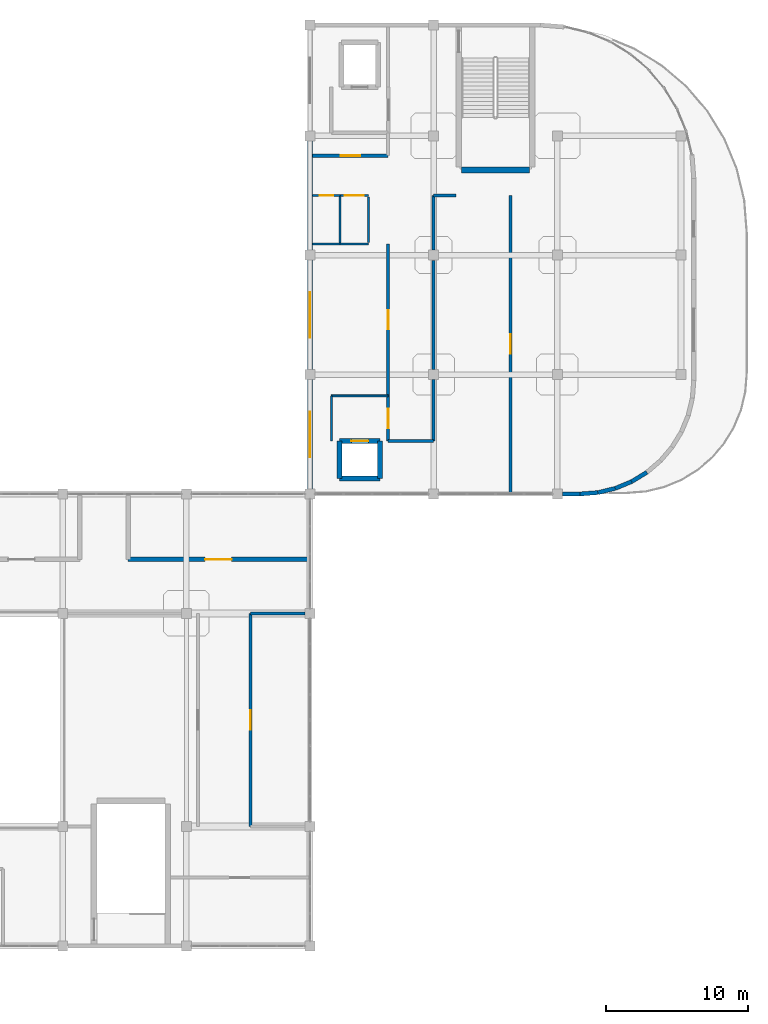
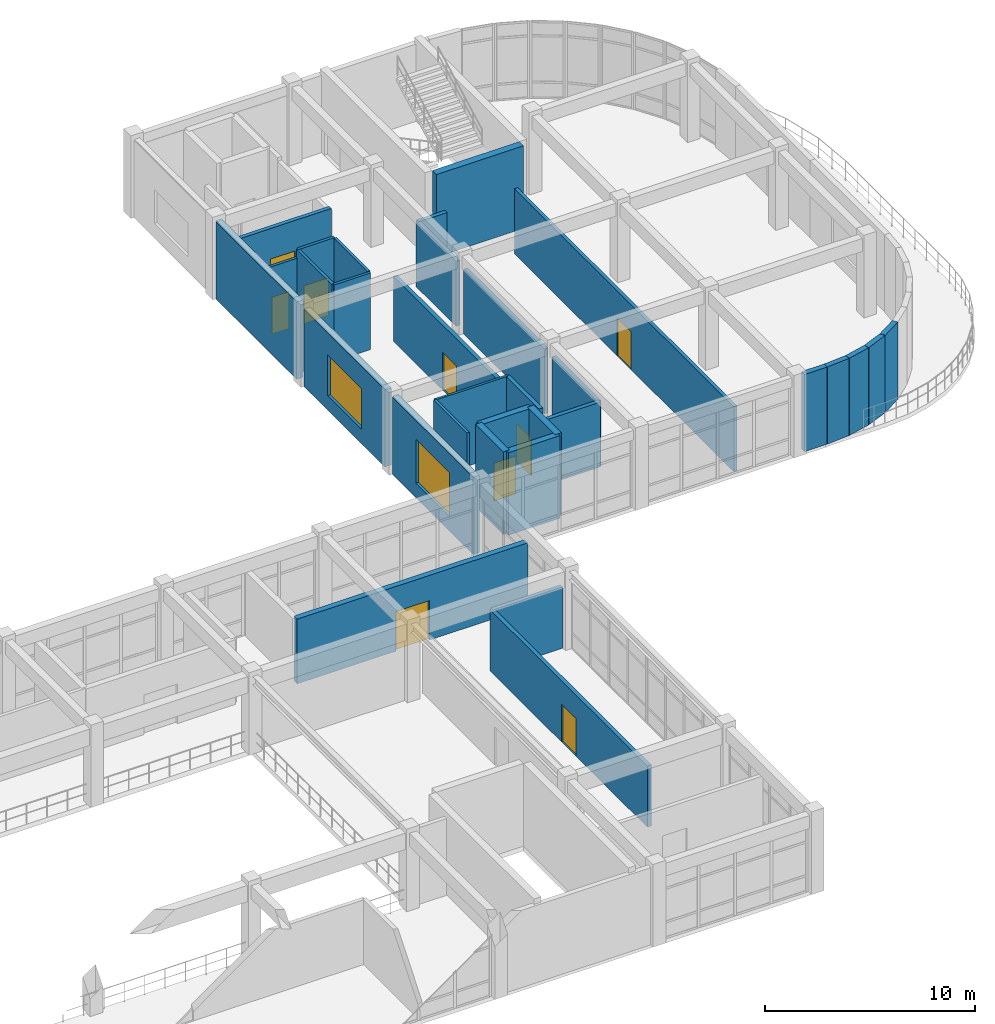
# One storey, part 57 of 64: 33 walls, 9 doors, 2 windows, 11 openings.
"""IFC4 building model written with IfcOpenShell, lengths in metres."""

from ifc_helpers import new_model, si_unit, derived_unit, direction, frame, frame_2d, origin, place, context, subcontext, project, spatial, rectangle, extrude, material, layer, layer_set, type_object, element, fill, save


model = new_model("IFC4")

# Units and contexts
model_context = context("Model", 3, precision=1e-05, world=origin(), true_north=direction((0.0, 1.0)))
body_context = subcontext(model_context, "Body", "Model", "MODEL_VIEW")
ifc_project = project(units=[si_unit("LENGTHUNIT", "METRE"), si_unit("AREAUNIT", "SQUARE_METRE"), si_unit("VOLUMEUNIT", "CUBIC_METRE"), si_unit("PLANEANGLEUNIT", "RADIAN"), si_unit("MASSUNIT", "GRAM", prefix="KILO"), derived_unit("THERMALTRANSMITTANCEUNIT", [(si_unit("MASSUNIT", "GRAM", prefix="KILO"), 1), (si_unit("TIMEUNIT", "SECOND"), -3), (si_unit("THERMODYNAMICTEMPERATUREUNIT", "KELVIN"), -1)])], contexts=[model_context])

# Site, building, storey
site_placement = place(None, origin())
site = spatial("IfcSite", under=ifc_project, at=site_placement, CompositionType="ELEMENT")
building_placement = place(site_placement, origin())
building = spatial("IfcBuilding", under=site, at=building_placement, Name="Qinzheling Arcade Emporium", CompositionType="ELEMENT")
storey_placement = place(building_placement, frame((0.0, 0.0, 31.5)))
storey = spatial("IfcBuildingStorey", under=building, at=storey_placement, Name="L07", CompositionType="ELEMENT", Elevation=31.5)

# Wall, opening, door
ifc_material_1 = material(Name="Double-stud acoustic gypsum board partition")
ifc_layer_1 = layer(ifc_material_1, 0.215087890625, Name="Double-stud acoustic gypsum board partition")
ifc_layer_set_1 = layer_set([ifc_layer_1], Name="Double-stud acoustic gypsum board partition")
wall_type_1 = type_object("IfcWallType", Name="Acoustic Corridor Partition Wall 215", PredefinedType="PARTITIONING", material=ifc_layer_set_1)
wall_1_placement = place(storey_placement, frame((109.89990234375, 80.699951171875, 0.0), z_axis=(0.0, 0.0, 1.0), x_axis=(0.0, -1.0, 0.0)))
wall_1 = element("IfcWall", 1, at=wall_1_placement, inside=storey, type_object=wall_type_1, Name="Interior Wall WL-L07-INT-0891", PredefinedType="PARTITIONING", context=body_context, shape_type="SweptSolid", body=[
    extrude(rectangle(XDim=3.169921875, YDim=0.215087890625, at=frame_2d((1.5849609375, 0.0))), origin(), (0.0, 0.0, 1.0), 4.4599609375),
])
opening_1_placement = place(wall_1_placement, frame((0.909912109375, 0.0, 0.0)))
opening_1 = element("IfcOpeningElement", 2, at=opening_1_placement, cuts=wall_1, Name="Opening FD05", PredefinedType="OPENING", context=body_context, shape_type="SweptSolid", body=[
    extrude(rectangle(XDim=1.35009765625, YDim=2.199951171875, at=frame_2d((0.675048828125, 1.10009765625))), frame((0.0, 0.11767578125, 0.0), z_axis=(0.0, -1.0, 0.0), x_axis=(1.0, 0.0, 0.0)), (0.0, 0.0, 1.0), 0.235107421875),
])
ifc_material_2 = material(Name="Class B fire-rated stainless-clad door")
door_type_1 = type_object("IfcDoorType", Name="Kitchen Fire-Rated Service Door 1350x2200", OperationType="NOTDEFINED", PredefinedType="DOOR", material=ifc_material_2)
door_1_placement = place(opening_1_placement, origin())
door_1 = element("IfcDoor", 3, at=door_1_placement, inside=storey, type_object=door_type_1, Name="FD05 Interior Door DR-L07-INT-0260", OperationType="SINGLE_SWING_LEFT", OverallHeight=2.199951171875, OverallWidth=1.35009765625, PredefinedType="DOOR", context=body_context, shape_type="SweptSolid", body=[
    extrude(rectangle(XDim=1.35009765625, YDim=2.199951171875, at=frame_2d((0.675048828125, 1.10009765625))), frame((0.0, 0.02490234375, 0.0), z_axis=(0.0, -1.0, 0.0), x_axis=(1.0, 0.0, 0.0)), (0.0, 0.0, 1.0), 0.050048828125),
])
fill(opening_1, door_1)

# Walls
wall_2_placement = place(storey_placement, frame((114.655029296875, 94.800048828125, 0.0), z_axis=(0.0, 0.0, 1.0), x_axis=(-1.0, 0.0, 0.0)))
element("IfcWall", 4, at=wall_2_placement, inside=storey, type_object=wall_type_1, Name="Interior Wall WL-L07-INT-0909", PredefinedType="PARTITIONING", context=body_context, shape_type="SweptSolid", body=[
    extrude(rectangle(XDim=1.554931640625, YDim=0.215087890625, at=frame_2d((0.77734375, 0.0))), origin(), (0.0, 0.0, 1.0), 3.77490234375),
])
wall_3_placement = place(storey_placement, frame((113.10009765625, 94.800048828125, 0.0), z_axis=(0.0, 0.0, 1.0), x_axis=(0.0, -1.0, 0.0)))
element("IfcWall", 5, at=wall_3_placement, inside=storey, type_object=wall_type_1, Name="Interior Wall WL-L07-INT-0910", PredefinedType="PARTITIONING", context=body_context, shape_type="SweptSolid", body=[
    extrude(rectangle(XDim=3.840087890625, YDim=0.215087890625, at=frame_2d((1.919921875, 0.0))), origin(), (0.0, 0.0, 1.0), 3.77490234375),
])
wall_4_placement = place(storey_placement, frame((113.10009765625, 90.239990234375, 0.0), z_axis=(0.0, 0.0, 1.0), x_axis=(0.0, -1.0, 0.0)))
element("IfcWall", 6, at=wall_4_placement, inside=storey, type_object=wall_type_1, Name="Interior Wall WL-L07-INT-0911", PredefinedType="PARTITIONING", context=body_context, shape_type="SweptSolid", body=[
    extrude(rectangle(XDim=7.679931640625, YDim=0.215087890625, at=frame_2d((3.83984375, 0.0))), origin(), (0.0, 0.0, 1.0), 3.77490234375),
])
wall_5_placement = place(storey_placement, frame((113.10009765625, 81.840087890625, 0.0), z_axis=(0.0, 0.0, 1.0), x_axis=(0.0, -1.0, 0.0)))
element("IfcWall", 7, at=wall_5_placement, inside=storey, type_object=wall_type_1, Name="Interior Wall WL-L07-INT-0912", PredefinedType="PARTITIONING", context=body_context, shape_type="SweptSolid", body=[
    extrude(rectangle(XDim=4.31005859375, YDim=0.215087890625, at=frame_2d((2.155029296875, 0.0))), origin(), (0.0, 0.0, 1.0), 3.77490234375),
])
wall_6_placement = place(storey_placement, frame((113.10009765625, 77.530029296875, 0.0), z_axis=(0.0, 0.0, 1.0), x_axis=(-1.0, 0.0, 0.0)))
element("IfcWall", 8, at=wall_6_placement, inside=storey, type_object=wall_type_1, Name="Interior Wall WL-L07-INT-0913", PredefinedType="PARTITIONING", context=body_context, shape_type="SweptSolid", body=[
    extrude(rectangle(XDim=3.2001953125, YDim=0.215087890625, at=frame_2d((1.60009765625, 0.0))), origin(), (0.0, 0.0, 1.0), 3.77490234375),
])

# Wall, opening, door
wall_7_placement = place(storey_placement, frame((109.89990234375, 80.699951171875, 0.0), z_axis=(0.0, 0.0, 1.0), x_axis=(0.0, 1.0, 0.0)))
wall_7 = element("IfcWall", 9, at=wall_7_placement, inside=storey, type_object=wall_type_1, Name="Interior Wall WL-L07-INT-0914", PredefinedType="PARTITIONING", context=body_context, shape_type="SweptSolid", body=[
    extrude(rectangle(XDim=10.699951171875, YDim=0.215087890625, at=frame_2d((5.35009765625, 0.0))), origin(), (0.0, 0.0, 1.0), 3.77490234375),
])
opening_2_placement = place(wall_7_placement, frame((4.675048828125, 0.0, 0.0)))
opening_2 = element("IfcOpeningElement", 10, at=opening_2_placement, cuts=wall_7, Name="Opening FD05", PredefinedType="OPENING", context=body_context, shape_type="SweptSolid", body=[
    extrude(rectangle(XDim=1.35009765625, YDim=2.199951171875, at=frame_2d((0.675048828125, 1.10009765625))), frame((0.0, 0.11767578125, 0.0), z_axis=(0.0, -1.0, 0.0), x_axis=(1.0, 0.0, 0.0)), (0.0, 0.0, 1.0), 0.235107421875),
])
door_2_placement = place(opening_2_placement, origin())
door_2 = element("IfcDoor", 11, at=door_2_placement, inside=storey, type_object=door_type_1, Name="FD05 Interior Door DR-L07-INT-0280", OperationType="SINGLE_SWING_LEFT", OverallHeight=2.199951171875, OverallWidth=1.35009765625, PredefinedType="DOOR", context=body_context, shape_type="SweptSolid", body=[
    extrude(rectangle(XDim=1.35009765625, YDim=2.199951171875, at=frame_2d((0.675048828125, 1.10009765625))), frame((0.0, 0.02490234375, 0.0), z_axis=(0.0, -1.0, 0.0), x_axis=(1.0, 0.0, 0.0)), (0.0, 0.0, 1.0), 0.050048828125),
])
fill(opening_2, door_2)

wall_8_placement = place(storey_placement, frame((104.580078125, 97.60009765625, 0.0), z_axis=(0.0, 0.0, 1.0), x_axis=(1.0, 0.0, 0.0)))
wall_8 = element("IfcWall", 12, at=wall_8_placement, inside=storey, type_object=wall_type_1, Name="Interior Wall WL-L07-INT-0915", PredefinedType="PARTITIONING", context=body_context, shape_type="SweptSolid", body=[
    extrude(rectangle(XDim=5.31982421875, YDim=0.215087890625, at=frame_2d((2.659912109375, 0.0))), origin(), (0.0, 0.0, 1.0), 3.97509765625),
])
opening_3_placement = place(wall_8_placement, frame((1.985107421875, 0.0, 0.0)))
opening_3 = element("IfcOpeningElement", 13, at=opening_3_placement, cuts=wall_8, Name="Opening FD05", PredefinedType="OPENING", context=body_context, shape_type="SweptSolid", body=[
    extrude(rectangle(XDim=1.35009765625, YDim=2.199951171875, at=frame_2d((0.675048828125, 1.10009765625))), frame((0.0, 0.11767578125, 0.0), z_axis=(0.0, -1.0, 0.0), x_axis=(1.0, 0.0, 0.0)), (0.0, 0.0, 1.0), 0.235107421875),
])
door_3_placement = place(opening_3_placement, origin())
door_3 = element("IfcDoor", 14, at=door_3_placement, inside=storey, type_object=door_type_1, Name="FD05 Interior Door DR-L07-INT-0282", OperationType="SINGLE_SWING_LEFT", OverallHeight=2.199951171875, OverallWidth=1.35009765625, PredefinedType="DOOR", context=body_context, shape_type="SweptSolid", body=[
    extrude(rectangle(XDim=1.35009765625, YDim=2.199951171875, at=frame_2d((0.675048828125, 1.10009765625))), frame((0.0, 0.02490234375, 0.0), z_axis=(0.0, -1.0, 0.0), x_axis=(1.0, 0.0, 0.0)), (0.0, 0.0, 1.0), 0.050048828125),
])
fill(opening_3, door_3)

# Wall
wall_9_placement = place(storey_placement, frame((104.0400390625, 65.39990234375, 0.0), z_axis=(0.0, 0.0, 1.0), x_axis=(-1.0, 0.0, 0.0)))
element("IfcWall", 15, at=wall_9_placement, inside=storey, type_object=wall_type_1, Name="Interior Wall WL-L07-INT-0949", PredefinedType="PARTITIONING", context=body_context, shape_type="SweptSolid", body=[
    extrude(rectangle(XDim=3.840087890625, YDim=0.215087890625, at=frame_2d((1.919921875, 0.0))), origin(), (0.0, 0.0, 1.0), 3.56005859375),
])

# Wall, opening, door
wall_10_placement = place(storey_placement, frame((100.199951171875, 65.39990234375, 0.0), z_axis=(0.0, 0.0, 1.0), x_axis=(0.0, -1.0, 0.0)))
wall_10 = element("IfcWall", 16, at=wall_10_placement, inside=storey, type_object=wall_type_1, Name="Interior Wall WL-L07-INT-0950", PredefinedType="PARTITIONING", context=body_context, shape_type="SweptSolid", body=[
    extrude(rectangle(XDim=15.0, YDim=0.215087890625, at=frame_2d((7.5, 0.0))), origin(), (0.0, 0.0, 1.0), 3.56005859375),
])
opening_4_placement = place(wall_10_placement, frame((6.824951171875, 0.0, 0.0)))
opening_4 = element("IfcOpeningElement", 17, at=opening_4_placement, cuts=wall_10, Name="Opening FD05", PredefinedType="OPENING", context=body_context, shape_type="SweptSolid", body=[
    extrude(rectangle(XDim=1.35009765625, YDim=2.199951171875, at=frame_2d((0.675048828125, 1.10009765625))), frame((0.0, 0.11767578125, 0.0), z_axis=(0.0, -1.0, 0.0), x_axis=(1.0, 0.0, 0.0)), (0.0, 0.0, 1.0), 0.235107421875),
])
door_4_placement = place(opening_4_placement, origin())
door_4 = element("IfcDoor", 18, at=door_4_placement, inside=storey, type_object=door_type_1, Name="FD05 Interior Door DR-L07-INT-0278", OperationType="SINGLE_SWING_LEFT", OverallHeight=2.199951171875, OverallWidth=1.35009765625, PredefinedType="DOOR", context=body_context, shape_type="SweptSolid", body=[
    extrude(rectangle(XDim=1.35009765625, YDim=2.199951171875, at=frame_2d((0.675048828125, 1.10009765625))), frame((0.0, 0.02490234375, 0.0), z_axis=(0.0, -1.0, 0.0), x_axis=(1.0, 0.0, 0.0)), (0.0, 0.0, 1.0), 0.050048828125),
])
fill(opening_4, door_4)

# Wall
ifc_material_3 = material(Name="Lightweight atelier partition")
ifc_layer_2 = layer(ifc_material_3, 0.14990234375, Name="Lightweight atelier partition")
ifc_layer_set_2 = layer_set([ifc_layer_2], Name="Lightweight atelier partition")
wall_type_2 = type_object("IfcWallType", Name="Atelier Partition Wall 150", PredefinedType="PARTITIONING", material=ifc_layer_set_2)
wall_11_placement = place(storey_placement, frame((105.89990234375, 77.530029296875, 0.0), z_axis=(0.0, 0.0, 1.0), x_axis=(0.0, 1.0, 0.0)))
element("IfcWall", 19, at=wall_11_placement, inside=storey, type_object=wall_type_2, Name="Interior Wall WL-L07-INT-0892", PredefinedType="PARTITIONING", context=body_context, shape_type="SweptSolid", body=[
    extrude(rectangle(XDim=3.169921875, YDim=0.14990234375, at=frame_2d((1.5849609375, 0.0))), origin(), (0.0, 0.0, 1.0), 4.4599609375),
])

# Wall, opening, window
ifc_material_4 = material(Name="Fluted granite ashlar on Concrete C40", Category="masonry")
ifc_layer_3 = layer(ifc_material_4, 0.35009765625, Name="Fluted granite ashlar on Concrete C40", Category="masonry")
ifc_layer_set_3 = layer_set([ifc_layer_3], Name="Fluted granite ashlar on Concrete C40")
wall_type_3 = type_object("IfcWallType", Name="Fluted Granite Logistics Wall 350", PredefinedType="STANDARD", material=ifc_layer_set_3)
wall_12_placement = place(storey_placement, frame((104.39990234375, 74.152099609375, 0.0), z_axis=(0.0, 0.0, 1.0), x_axis=(0.0, 1.0, 0.0)))
wall_12 = element("IfcWall", 20, at=wall_12_placement, inside=storey, type_object=wall_type_3, Name="Exterior Wall WL-L07-EW-0339", PredefinedType="STANDARD", context=body_context, shape_type="SweptSolid", body=[
    extrude(rectangle(XDim=7.69580078125, YDim=0.35009765625, at=frame_2d((3.847900390625, 0.0))), origin(), (0.0, 0.0, 1.0), 4.489990234375),
])
opening_5_placement = place(wall_12_placement, frame((2.248046875, 0.0, 0.85009765625)))
opening_5 = element("IfcOpeningElement", 21, at=opening_5_placement, cuts=wall_12, Name="Opening WN34", PredefinedType="OPENING", context=body_context, shape_type="SweptSolid", body=[
    extrude(rectangle(XDim=3.199951171875, YDim=2.550048828125, at=frame_2d((1.60009765625, 1.27490234375))), frame((0.0, 0.18505859375, 0.0), z_axis=(0.0, -1.0, 0.0), x_axis=(1.0, 0.0, 0.0)), (0.0, 0.0, 1.0), 0.3701171875),
])
ifc_material_5 = material(Name="Thermally broken aluminium frame with solar-control double glazing", Category="aluminium")
window_type_1 = type_object("IfcWindowType", Name="Chicago Tripartite Window 3200x2550", PartitioningType="TRIPLE_PANEL_VERTICAL", PredefinedType="WINDOW", material=ifc_material_5)
window_1_placement = place(opening_5_placement, origin())
window_1 = element("IfcWindow", 22, at=window_1_placement, inside=storey, type_object=window_type_1, Name="WN34 Window WN-L07-0084", OverallHeight=2.550048828125, OverallWidth=3.199951171875, PartitioningType="TRIPLE_PANEL_VERTICAL", PredefinedType="WINDOW", context=body_context, shape_type="SweptSolid", body=[
    extrude(rectangle(XDim=3.199951171875, YDim=2.550048828125, at=frame_2d((1.60009765625, 1.27490234375))), frame((0.0, 0.030029296875, 0.0), z_axis=(0.0, -1.0, 0.0), x_axis=(1.0, 0.0, 0.0)), (0.0, 0.0, 1.0), 0.06005859375),
])
fill(opening_5, window_1)

wall_13_placement = place(storey_placement, frame((104.39990234375, 82.552001953125, 0.0), z_axis=(0.0, 0.0, 1.0), x_axis=(0.0, 1.0, 0.0)))
wall_13 = element("IfcWall", 23, at=wall_13_placement, inside=storey, type_object=wall_type_3, Name="Exterior Wall WL-L07-EW-0340", PredefinedType="STANDARD", context=body_context, shape_type="SweptSolid", body=[
    extrude(rectangle(XDim=7.696044921875, YDim=0.35009765625, at=frame_2d((3.84814453125, 0.0))), origin(), (0.0, 0.0, 1.0), 4.489990234375),
])
opening_6_placement = place(wall_13_placement, frame((2.248046875, 0.0, 0.85009765625)))
opening_6 = element("IfcOpeningElement", 24, at=opening_6_placement, cuts=wall_13, Name="Opening WN35", PredefinedType="OPENING", context=body_context, shape_type="SweptSolid", body=[
    extrude(rectangle(XDim=3.199951171875, YDim=2.35009765625, at=frame_2d((1.60009765625, 1.175048828125))), frame((0.0, 0.18505859375, 0.0), z_axis=(0.0, -1.0, 0.0), x_axis=(1.0, 0.0, 0.0)), (0.0, 0.0, 1.0), 0.3701171875),
])
window_type_2 = type_object("IfcWindowType", Name="Chicago Tripartite Window 3200x2350", PartitioningType="TRIPLE_PANEL_VERTICAL", PredefinedType="WINDOW", material=ifc_material_5)
window_2_placement = place(opening_6_placement, origin())
window_2 = element("IfcWindow", 25, at=window_2_placement, inside=storey, type_object=window_type_2, Name="WN35 Window WN-L07-0085", OverallHeight=2.35009765625, OverallWidth=3.199951171875, PartitioningType="TRIPLE_PANEL_VERTICAL", PredefinedType="WINDOW", context=body_context, shape_type="SweptSolid", body=[
    extrude(rectangle(XDim=3.199951171875, YDim=2.35009765625, at=frame_2d((1.60009765625, 1.175048828125))), frame((0.0, 0.030029296875, 0.0), z_axis=(0.0, -1.0, 0.0), x_axis=(1.0, 0.0, 0.0)), (0.0, 0.0, 1.0), 0.06005859375),
])
fill(opening_6, window_2)

# Wall
wall_14_placement = place(storey_placement, frame((104.39990234375, 90.951904296875, 0.0), z_axis=(0.0, 0.0, 1.0), x_axis=(0.0, 1.0, 0.0)))
element("IfcWall", 26, at=wall_14_placement, inside=storey, type_object=wall_type_3, Name="Exterior Wall WL-L07-EW-0341", PredefinedType="STANDARD", context=body_context, shape_type="SweptSolid", body=[
    extrude(rectangle(XDim=7.696044921875, YDim=0.35009765625, at=frame_2d((3.84814453125, 0.0))), origin(), (0.0, 0.0, 1.0), 4.489990234375),
])

# Wall, opening, door
ifc_material_6 = material(Name="Ceramic-tiled cement-board partition")
ifc_layer_4 = layer(ifc_material_6, 0.18505859375, Name="Ceramic-tiled cement-board partition")
ifc_layer_set_4 = layer_set([ifc_layer_4], Name="Ceramic-tiled cement-board partition")
wall_type_4 = type_object("IfcWallType", Name="Food Hall Kitchen Partition Wall 185", PredefinedType="PARTITIONING", material=ifc_layer_set_4)
wall_15_placement = place(storey_placement, frame((118.5, 94.800048828125, 0.0), z_axis=(0.0, 0.0, 1.0), x_axis=(0.0, -1.0, 0.0)))
wall_15 = element("IfcWall", 27, at=wall_15_placement, inside=storey, type_object=wall_type_4, Name="Interior Wall WL-L07-INT-0965", PredefinedType="PARTITIONING", context=body_context, shape_type="SweptSolid", body=[
    extrude(rectangle(XDim=20.900146484375, YDim=0.18505859375, at=frame_2d((10.4501953125, 0.0))), origin(), (0.0, 0.0, 1.0), 3.77490234375),
])
opening_7_placement = place(wall_15_placement, frame((9.77490234375, 0.0, 0.0)))
opening_7 = element("IfcOpeningElement", 28, at=opening_7_placement, cuts=wall_15, Name="Opening FD05", PredefinedType="OPENING", context=body_context, shape_type="SweptSolid", body=[
    extrude(rectangle(XDim=1.35009765625, YDim=2.199951171875, at=frame_2d((0.675048828125, 1.10009765625))), frame((0.0, 0.1025390625, 0.0), z_axis=(0.0, -1.0, 0.0), x_axis=(1.0, 0.0, 0.0)), (0.0, 0.0, 1.0), 0.205078125),
])
door_5_placement = place(opening_7_placement, origin())
door_5 = element("IfcDoor", 29, at=door_5_placement, inside=storey, type_object=door_type_1, Name="FD05 Interior Door DR-L07-INT-0281", OperationType="SINGLE_SWING_RIGHT", OverallHeight=2.199951171875, OverallWidth=1.35009765625, PredefinedType="DOOR", context=body_context, shape_type="SweptSolid", body=[
    extrude(rectangle(XDim=1.35009765625, YDim=2.199951171875, at=frame_2d((0.675048828125, 1.10009765625))), frame((0.0, 0.02490234375, 0.0), z_axis=(0.0, -1.0, 0.0), x_axis=(1.0, 0.0, 0.0)), (0.0, 0.0, 1.0), 0.050048828125),
])
fill(opening_7, door_5)

# Walls
ifc_material_7 = material(Name="Buff glazed terracotta insulated wall", Category="masonry")
ifc_layer_5 = layer(ifc_material_7, 0.2900390625, Name="Buff glazed terracotta insulated wall", Category="masonry")
ifc_layer_set_5 = layer_set([ifc_layer_5], Name="Buff glazed terracotta insulated wall")
wall_type_5 = type_object("IfcWallType", Name="Office Bar Terracotta Wall 290", PredefinedType="STANDARD", material=ifc_layer_set_5)
wall_16_placement = place(storey_placement, frame((128.10205078125, 75.327880859375, 0.0), z_axis=(0.0, 0.0, 1.0), x_axis=(-0.852632005174, -0.522511879055, 0.0)))
element("IfcWall", 30, at=wall_16_placement, inside=storey, type_object=wall_type_5, Name="Exterior Wall WL-L07-EW-0355", PredefinedType="STANDARD", context=body_context, shape_type="SweptSolid", body=[
    extrude(rectangle(XDim=1.255126953125, YDim=0.2900390625, at=frame_2d((0.62744140625, 0.0))), origin(), (0.0, 0.0, 1.0), 4.489990234375),
])
wall_17_placement = place(storey_placement, frame((127.031982421875, 74.672119140625, 0.0), z_axis=(0.0, 0.0, 1.0), x_axis=(-0.923943369563, -0.382529279716, 0.0)))
element("IfcWall", 31, at=wall_17_placement, inside=storey, type_object=wall_type_5, Name="Exterior Wall WL-L07-EW-0356", PredefinedType="STANDARD", context=body_context, shape_type="SweptSolid", body=[
    extrude(rectangle(XDim=1.25537109375, YDim=0.2900390625, at=frame_2d((0.627685546875, 0.0))), origin(), (0.0, 0.0, 1.0), 4.489990234375),
])
wall_18_placement = place(storey_placement, frame((125.8720703125, 74.19189453125, 0.0), z_axis=(0.0, 0.0, 1.0), x_axis=(-0.972231827136, -0.234019816048, 0.0)))
element("IfcWall", 32, at=wall_18_placement, inside=storey, type_object=wall_type_5, Name="Exterior Wall WL-L07-EW-0357", PredefinedType="STANDARD", context=body_context, shape_type="SweptSolid", body=[
    extrude(rectangle(XDim=1.256103515625, YDim=0.2900390625, at=frame_2d((0.6279296875, 0.0))), origin(), (0.0, 0.0, 1.0), 4.489990234375),
])
wall_19_placement = place(storey_placement, frame((124.65087890625, 73.89794921875, 0.0), z_axis=(0.0, 0.0, 1.0), x_axis=(-0.996951745605, -0.078020618655, 0.0)))
element("IfcWall", 33, at=wall_19_placement, inside=storey, type_object=wall_type_5, Name="Exterior Wall WL-L07-EW-0358", PredefinedType="STANDARD", context=body_context, shape_type="SweptSolid", body=[
    extrude(rectangle(XDim=1.2548828125, YDim=0.2900390625, at=frame_2d((0.62744140625, 0.0))), origin(), (0.0, 0.0, 1.0), 4.489990234375),
])
wall_20_placement = place(storey_placement, frame((123.39990234375, 73.800048828125, 0.0), z_axis=(0.0, 0.0, 1.0), x_axis=(-1.0, 0.0, 0.0)))
element("IfcWall", 34, at=wall_20_placement, inside=storey, type_object=wall_type_5, Name="Exterior Wall WL-L07-EW-0359", PredefinedType="STANDARD", context=body_context, shape_type="SweptSolid", body=[
    extrude(rectangle(XDim=1.247802734375, YDim=0.2900390625, at=frame_2d((0.6240234375, 0.0))), origin(), (0.0, 0.0, 1.0), 4.489990234375),
])
ifc_material_8 = material(Name="Moisture-resistant shaftliner gypsum board")
ifc_layer_6 = layer(ifc_material_8, 0.155029296875, Name="Moisture-resistant shaftliner gypsum board")
ifc_layer_set_6 = layer_set([ifc_layer_6], Name="Moisture-resistant shaftliner gypsum board")
wall_type_6 = type_object("IfcWallType", Name="Plumbing and Service Riser Wall 155", PredefinedType="MOVABLE", material=ifc_layer_set_6)
wall_21_placement = place(storey_placement, frame((106.5, 94.800048828125, 0.0), z_axis=(0.0, 0.0, 1.0), x_axis=(0.0, -1.0, 0.0)))
element("IfcWall", 35, at=wall_21_placement, inside=storey, type_object=wall_type_6, Name="Interior Wall WL-L07-INT-0904", PredefinedType="MOVABLE", context=body_context, shape_type="SweptSolid", body=[
    extrude(rectangle(XDim=3.400146484375, YDim=0.155029296875, at=frame_2d((1.7001953125, 0.0))), origin(), (0.0, 0.0, 1.0), 4.4599609375),
])

# Wall, opening, door
wall_22_placement = place(storey_placement, frame((106.5, 94.800048828125, 0.0), z_axis=(0.0, 0.0, 1.0), x_axis=(1.0, 0.0, 0.0)))
wall_22 = element("IfcWall", 36, at=wall_22_placement, inside=storey, type_object=wall_type_6, Name="Interior Wall WL-L07-INT-0907", PredefinedType="MOVABLE", context=body_context, shape_type="SweptSolid", body=[
    extrude(rectangle(XDim=2.0, YDim=0.155029296875, at=frame_2d((1.0, 0.0))), origin(), (0.0, 0.0, 1.0), 4.4599609375),
])
opening_8_placement = place(wall_22_placement, frame((0.324951171875, 0.0, 0.0)))
opening_8 = element("IfcOpeningElement", 37, at=opening_8_placement, cuts=wall_22, Name="Opening FD05", PredefinedType="OPENING", context=body_context, shape_type="SweptSolid", body=[
    extrude(rectangle(XDim=1.35009765625, YDim=2.199951171875, at=frame_2d((0.675048828125, 1.10009765625))), frame((0.0, 0.08740234375, 0.0), z_axis=(0.0, -1.0, 0.0), x_axis=(1.0, 0.0, 0.0)), (0.0, 0.0, 1.0), 0.175048828125),
])
door_6_placement = place(opening_8_placement, origin())
door_6 = element("IfcDoor", 38, at=door_6_placement, inside=storey, type_object=door_type_1, Name="FD05 Interior Door DR-L07-INT-0265", OperationType="SINGLE_SWING_RIGHT", OverallHeight=2.199951171875, OverallWidth=1.35009765625, PredefinedType="DOOR", context=body_context, shape_type="SweptSolid", body=[
    extrude(rectangle(XDim=1.35009765625, YDim=2.199951171875, at=frame_2d((0.675048828125, 1.10009765625))), frame((0.0, 0.02490234375, 0.0), z_axis=(0.0, -1.0, 0.0), x_axis=(1.0, 0.0, 0.0)), (0.0, 0.0, 1.0), 0.050048828125),
])
fill(opening_8, door_6)

ifc_material_9 = material(Name="Concrete C40", Category="concrete")
ifc_layer_7 = layer(ifc_material_9, 0.35009765625, Name="Concrete C40", Category="concrete")
ifc_layer_set_7 = layer_set([ifc_layer_7], Name="Concrete C40")
wall_type_7 = type_object("IfcWallType", Name="RC Lift Shaft Shear Wall 350 C40", PredefinedType="SHEAR", material=ifc_layer_set_7)
wall_23_placement = place(storey_placement, frame((106.47509765625, 77.52490234375, 0.0), z_axis=(0.0, 0.0, 1.0), x_axis=(1.0, 0.0, 0.0)))
wall_23 = element("IfcWall", 39, at=wall_23_placement, inside=storey, type_object=wall_type_7, Name="Lift Shaft Wall WL-L07-LFT-LP06-N", PredefinedType="SHEAR", context=body_context, shape_type="SweptSolid", body=[
    extrude(rectangle(XDim=2.849853515625, YDim=0.35009765625, at=frame_2d((1.4248046875, 0.0))), origin(), (0.0, 0.0, 1.0), 4.800048828125),
])
opening_9_placement = place(wall_23_placement, frame((0.824951171875, 0.0, 0.0)))
opening_9 = element("IfcOpeningElement", 40, at=opening_9_placement, cuts=wall_23, Name="Opening LD02", PredefinedType="OPENING", context=body_context, shape_type="SweptSolid", body=[
    extrude(rectangle(XDim=1.199951171875, YDim=2.199951171875, at=frame_2d((0.60009765625, 1.10009765625))), frame((0.0, 0.18505859375, 0.0), z_axis=(0.0, -1.0, 0.0), x_axis=(1.0, 0.0, 0.0)), (0.0, 0.0, 1.0), 0.3701171875),
])
ifc_material_10 = material(Name="Brushed bronze stainless sliding lift door")
door_type_2 = type_object("IfcDoorType", Name="Passenger Lift Sliding Landing Door 1200x2200", OperationType="DOUBLE_DOOR_SLIDING", PredefinedType="DOOR", material=ifc_material_10)
door_7_placement = place(opening_9_placement, origin())
door_7 = element("IfcDoor", 41, at=door_7_placement, inside=storey, type_object=door_type_2, Name="LD02 Lift Landing Door LP06 L07", OperationType="DOUBLE_DOOR_SLIDING", OverallHeight=2.199951171875, OverallWidth=1.199951171875, PredefinedType="DOOR", context=body_context, shape_type="SweptSolid", body=[
    extrude(rectangle(XDim=1.199951171875, YDim=2.199951171875, at=frame_2d((0.60009765625, 1.10009765625))), frame((0.0, 0.02490234375, 0.0), z_axis=(0.0, -1.0, 0.0), x_axis=(1.0, 0.0, 0.0)), (0.0, 0.0, 1.0), 0.050048828125),
])
fill(opening_9, door_7)

# Walls
wall_24_placement = place(storey_placement, frame((109.324951171875, 74.875, 0.0), z_axis=(0.0, 0.0, 1.0), x_axis=(-1.0, 0.0, 0.0)))
element("IfcWall", 42, at=wall_24_placement, inside=storey, type_object=wall_type_7, Name="Lift Shaft Wall WL-L07-LFT-LP06-S", PredefinedType="SHEAR", context=body_context, shape_type="SweptSolid", body=[
    extrude(rectangle(XDim=2.849853515625, YDim=0.35009765625, at=frame_2d((1.4248046875, 0.0))), origin(), (0.0, 0.0, 1.0), 4.800048828125),
])
for number, where, z_axis, x_axis, name in (
    (43, (106.47509765625, 74.875, 0.0), (0.0, 0.0, 1.0), (0.0, 1.0, 0.0), "Lift Shaft Wall WL-L07-LFT-LP06-W"),
    (44, (109.324951171875, 77.52490234375, 0.0), (0.0, 0.0, 1.0), (0.0, -1.0, 0.0), "Lift Shaft Wall WL-L07-LFT-LP06-E"),
):
    element("IfcWall", number, at=place(storey_placement, frame(where, z_axis=z_axis, x_axis=x_axis)), inside=storey, type_object=wall_type_7, Name=name, PredefinedType="SHEAR", context=body_context, shape_type="SweptSolid", body=[
        extrude(rectangle(XDim=2.64990234375, YDim=0.35009765625, at=frame_2d((1.324951171875, 0.0))), origin(), (0.0, 0.0, 1.0), 4.800048828125),
    ])
ifc_material_11 = material(Name="Concrete C50", Category="concrete")
ifc_layer_8 = layer(ifc_material_11, 0.39990234375, Name="Concrete C50", Category="concrete")
ifc_layer_set_8 = layer_set([ifc_layer_8], Name="Concrete C50")
wall_type_8 = type_object("IfcWallType", Name="RC Stair Core Shear Wall 400 C50", PredefinedType="SHEAR", material=ifc_layer_set_8)
wall_25_placement = place(storey_placement, frame((119.844970703125, 96.60009765625, 0.0), z_axis=(0.0, 0.0, 1.0), x_axis=(-1.0, 0.0, 0.0)))
element("IfcWall", 45, at=wall_25_placement, inside=storey, type_object=wall_type_8, Name="Stair Core Wall WL-L07-ST08-SOUTH", PredefinedType="SHEAR", context=body_context, shape_type="SweptSolid", body=[
    extrude(rectangle(XDim=4.7900390625, YDim=0.39990234375, at=frame_2d((2.39501953125, 0.0))), origin(), (0.0, 0.0, 1.0), 4.800048828125),
])

# Wall, opening, door
ifc_material_12 = material(Name="Autoclaved aerated concrete masonry with fire plaster", Category="masonry")
ifc_layer_9 = layer(ifc_material_12, 0.31005859375, Name="Autoclaved aerated concrete masonry with fire plaster", Category="masonry")
ifc_layer_set_9 = layer_set([ifc_layer_9], Name="Autoclaved aerated concrete masonry with fire plaster")
wall_type_9 = type_object("IfcWallType", Name="Retail Compartment Fire Wall 310 C40", PredefinedType="STANDARD", material=ifc_layer_set_9)
wall_26_placement = place(storey_placement, frame((91.60009765625, 69.199951171875, 0.0), z_axis=(0.0, 0.0, 1.0), x_axis=(1.0, 0.0, 0.0)))
wall_26 = element("IfcWall", 46, at=wall_26_placement, inside=storey, type_object=wall_type_9, Name="Interior Wall WL-L07-INT-0946", PredefinedType="STANDARD", context=body_context, shape_type="SweptSolid", body=[
    extrude(rectangle(XDim=12.699951171875, YDim=0.31005859375, at=frame_2d((6.35009765625, 0.0))), origin(), (0.0, 0.0, 1.0), 3.760009765625),
])
opening_10_placement = place(wall_26_placement, frame((5.425048828125, 0.0, 0.0)))
opening_10 = element("IfcOpeningElement", 47, at=opening_10_placement, cuts=wall_26, Name="Opening FD03", PredefinedType="OPENING", context=body_context, shape_type="SweptSolid", body=[
    extrude(rectangle(XDim=1.85009765625, YDim=2.300048828125, at=frame_2d((0.925048828125, 1.14990234375))), frame((0.0, 0.1650390625, 0.0), z_axis=(0.0, -1.0, 0.0), x_axis=(1.0, 0.0, 0.0)), (0.0, 0.0, 1.0), 0.330078125),
])
ifc_material_13 = material(Name="Class A fire-rated steel double door", Category="steel")
door_type_3 = type_object("IfcDoorType", Name="Stockroom Double Fire Door 1850x2300", OperationType="DOUBLE_DOOR_SINGLE_SWING", PredefinedType="DOOR", material=ifc_material_13)
door_8_placement = place(opening_10_placement, origin())
door_8 = element("IfcDoor", 48, at=door_8_placement, inside=storey, type_object=door_type_3, Name="FD03 Interior Door DR-L07-INT-0276", OperationType="DOUBLE_DOOR_SINGLE_SWING", OverallHeight=2.300048828125, OverallWidth=1.85009765625, PredefinedType="DOOR", context=body_context, shape_type="SweptSolid", body=[
    extrude(rectangle(XDim=1.85009765625, YDim=2.300048828125, at=frame_2d((0.925048828125, 1.14990234375))), frame((0.0, 0.02490234375, 0.0), z_axis=(0.0, -1.0, 0.0), x_axis=(1.0, 0.0, 0.0)), (0.0, 0.0, 1.0), 0.050048828125),
])
fill(opening_10, door_8)

# Wall
ifc_material_14 = material(Name="Moisture-resistant tea room partition")
ifc_layer_10 = layer(ifc_material_14, 0.1298828125, Name="Moisture-resistant tea room partition")
ifc_layer_set_10 = layer_set([ifc_layer_10], Name="Moisture-resistant tea room partition")
wall_type_10 = type_object("IfcWallType", Name="Tea Room Partition Wall 130", PredefinedType="PARTITIONING", material=ifc_layer_set_10)
wall_27_placement = place(storey_placement, frame((105.89990234375, 80.699951171875, 0.0), z_axis=(0.0, 0.0, 1.0), x_axis=(1.0, 0.0, 0.0)))
element("IfcWall", 49, at=wall_27_placement, inside=storey, type_object=wall_type_10, Name="Interior Wall WL-L07-INT-0893", PredefinedType="PARTITIONING", context=body_context, shape_type="SweptSolid", body=[
    extrude(rectangle(XDim=4.0, YDim=0.1298828125, at=frame_2d((2.0, 0.0))), origin(), (0.0, 0.0, 1.0), 4.4599609375),
])

# Wall, opening, door
ifc_material_15 = material(Name="Moisture-resistant cement-board WC partition")
ifc_layer_11 = layer(ifc_material_15, 0.14501953125, Name="Moisture-resistant cement-board WC partition")
ifc_layer_set_11 = layer_set([ifc_layer_11], Name="Moisture-resistant cement-board WC partition")
wall_type_11 = type_object("IfcWallType", Name="Washroom Moisture Partition Wall 145", PredefinedType="PARTITIONING", material=ifc_layer_set_11)
wall_28_placement = place(storey_placement, frame((104.580078125, 94.800048828125, 0.0), z_axis=(0.0, 0.0, 1.0), x_axis=(1.0, 0.0, 0.0)))
wall_28 = element("IfcWall", 50, at=wall_28_placement, inside=storey, type_object=wall_type_11, Name="Interior Wall WL-L07-INT-0905", PredefinedType="PARTITIONING", context=body_context, shape_type="SweptSolid", body=[
    extrude(rectangle(XDim=1.919921875, YDim=0.14501953125, at=frame_2d((0.9599609375, 0.0))), origin(), (0.0, 0.0, 1.0), 3.97509765625),
])
opening_11_placement = place(wall_28_placement, frame((0.485107421875, 0.0, 0.0)))
opening_11 = element("IfcOpeningElement", 51, at=opening_11_placement, cuts=wall_28, Name="Opening D12", PredefinedType="OPENING", context=body_context, shape_type="SweptSolid", body=[
    extrude(rectangle(XDim=0.949951171875, YDim=2.14990234375, at=frame_2d((0.47509765625, 1.074951171875))), frame((0.0, 0.08251953125, 0.0), z_axis=(0.0, -1.0, 0.0), x_axis=(1.0, 0.0, 0.0)), (0.0, 0.0, 1.0), 0.1650390625),
])
ifc_material_16 = material(Name="Antimicrobial high-pressure laminate door")
door_type_4 = type_object("IfcDoorType", Name="Public Male Washroom Door 950x2150", OperationType="NOTDEFINED", PredefinedType="DOOR", material=ifc_material_16)
door_9_placement = place(opening_11_placement, origin())
door_9 = element("IfcDoor", 52, at=door_9_placement, inside=storey, type_object=door_type_4, Name="D12 Interior Door DR-L07-INT-0264", OperationType="SINGLE_SWING_LEFT", OverallHeight=2.14990234375, OverallWidth=0.949951171875, PredefinedType="DOOR", context=body_context, shape_type="SweptSolid", body=[
    extrude(rectangle(XDim=0.949951171875, YDim=2.14990234375, at=frame_2d((0.47509765625, 1.074951171875))), frame((0.0, 0.02490234375, 0.0), z_axis=(0.0, -1.0, 0.0), x_axis=(1.0, 0.0, 0.0)), (0.0, 0.0, 1.0), 0.050048828125),
])
fill(opening_11, door_9)

# Walls
wall_29_placement = place(storey_placement, frame((106.5, 91.39990234375, 0.0), z_axis=(0.0, 0.0, 1.0), x_axis=(-1.0, 0.0, 0.0)))
element("IfcWall", 53, at=wall_29_placement, inside=storey, type_object=wall_type_11, Name="Interior Wall WL-L07-INT-0906", PredefinedType="PARTITIONING", context=body_context, shape_type="SweptSolid", body=[
    extrude(rectangle(XDim=1.919921875, YDim=0.14501953125, at=frame_2d((0.9599609375, 0.0))), origin(), (0.0, 0.0, 1.0), 3.97509765625),
])
wall_30_placement = place(storey_placement, frame((108.5, 91.39990234375, 0.0), z_axis=(0.0, 0.0, 1.0), x_axis=(-1.0, 0.0, 0.0)))
element("IfcWall", 54, at=wall_30_placement, inside=storey, type_object=wall_type_11, Name="Interior Wall WL-L07-INT-0908", PredefinedType="PARTITIONING", context=body_context, shape_type="SweptSolid", body=[
    extrude(rectangle(XDim=2.0, YDim=0.14501953125, at=frame_2d((1.0, 0.0))), origin(), (0.0, 0.0, 1.0), 4.4599609375),
])
wall_31_placement = place(storey_placement, frame((108.5, 94.69189453125, 0.0), z_axis=(0.0, 0.0, 1.0), x_axis=(0.0, -1.0, 0.0)))
element("IfcWall", 55, at=wall_31_placement, inside=storey, type_object=wall_type_11, Name="Interior Wall WL-L07-INT-0966", PredefinedType="PARTITIONING", context=body_context, shape_type="SweptSolid", body=[
    extrude(rectangle(XDim=3.18896484375, YDim=0.14501953125, at=frame_2d((1.594482421875, 0.0))), origin(), (0.0, 0.0, 1.0), 4.4599609375),
])

save(model, "model.ifc")
